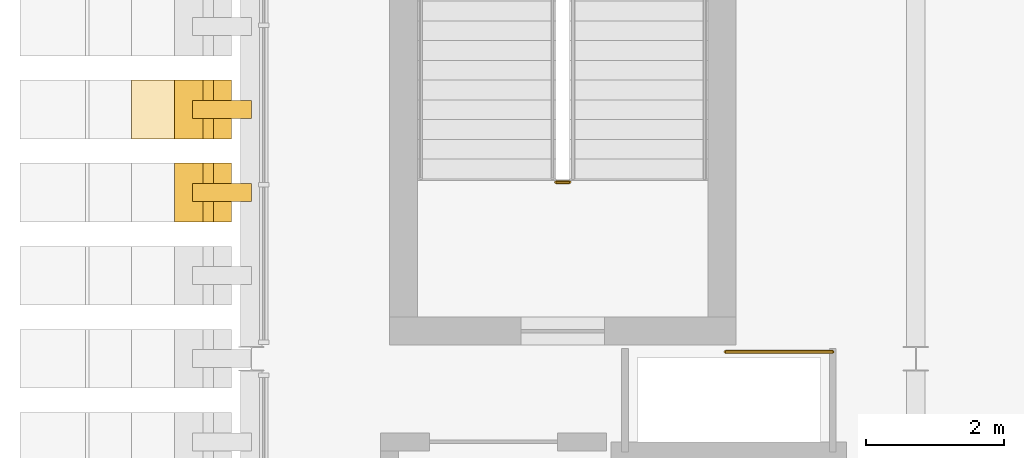
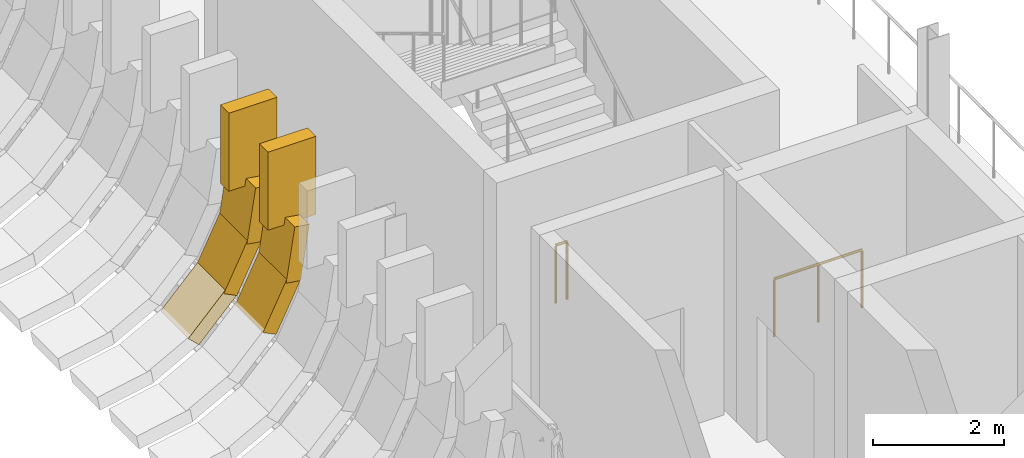
# One storey, part 69 of 100: 7 coverings, 2 railings.
"""IFC4 building model written with IfcOpenShell, lengths in metres."""

import ifcopenshell
import ifcopenshell.guid

model = None  # the IFC model being written
_history = None  # IfcOwnerHistory: only IFC2X3 demands one
_inside = {}  # id of a spatial element -> (the spatial element, [elements in it])
_under = {}  # id of a project, library or spatial element -> (it, [spatial elements below it])
_declared = {}  # id of a project -> (the project, [libraries it declares])
_typed = {}  # id of a type object -> (the type object, [elements of that type])
_made_of = {}  # id of a material, layer set ... -> (it, [elements and type objects made of it])


def new_model(schema):
    """Start an empty IFC model of exactly this schema.

    Asked for "IFC4X3", IfcOpenShell would pick the latest addendum, in which some entities
    have other attributes; the version numbers below select the first issue.
    IFC2X3 requires an IfcOwnerHistory on every rooted entity: one is made here for all.
    """
    global model, _history
    if schema == "IFC4X3":
        model = ifcopenshell.file(schema_version=(4, 3, 0, 0))
    else:
        model = ifcopenshell.file(schema=schema)
    _inside.clear()
    _under.clear()
    _declared.clear()
    _typed.clear()
    _made_of.clear()
    _history = None
    if model.schema == "IFC2X3":
        org = make("IfcOrganization", Name="unknown")
        user = make(
            "IfcPersonAndOrganization",
            ThePerson=make("IfcPerson", FamilyName="unknown"),
            TheOrganization=org,
        )
        app = make(
            "IfcApplication",
            ApplicationDeveloper=org,
            Version="unknown",
            ApplicationFullName="unknown",
            ApplicationIdentifier="unknown",
        )
        _history = make(
            "IfcOwnerHistory",
            OwningUser=user,
            OwningApplication=app,
            ChangeAction="ADDED",
            CreationDate=0,
        )
    return model


def make(cls, **values):
    """One entity of the class cls with the attributes given. An attribute that is None is left unset."""
    return model.create_entity(
        cls, **{name: value for name, value in values.items() if value is not None}
    )


def rooted(cls, **values):
    """An entity with a GlobalId (a new one), such as an element, a storey or a relation."""
    return make(cls, GlobalId=ifcopenshell.guid.new(), OwnerHistory=_history, **values)


def si_unit(unit_type, name, prefix=None):
    """IfcSIUnit, for example si_unit("LENGTHUNIT", "METRE", prefix="MILLI")."""
    return make("IfcSIUnit", UnitType=unit_type, Prefix=prefix, Name=name)


def assignment(units):
    """IfcUnitAssignment: the units of a project."""
    return None if units is None else make("IfcUnitAssignment", Units=units)


def point(xyz):
    """IfcCartesianPoint."""
    return None if xyz is None else make("IfcCartesianPoint", Coordinates=xyz)


def direction(xyz):
    """IfcDirection."""
    return None if xyz is None else make("IfcDirection", DirectionRatios=xyz)


def frame(location, z_axis=None, x_axis=None):
    """IfcAxis2Placement3D, a coordinate frame: its origin and axes. An axis left out is left unset."""
    return make(
        "IfcAxis2Placement3D",
        Location=point(location),
        Axis=direction(z_axis),
        RefDirection=direction(x_axis),
    )


def frame_2d(location, x_axis=None):
    """IfcAxis2Placement2D, a coordinate frame in the plane: its origin and x axis."""
    return make(
        "IfcAxis2Placement2D", Location=point(location), RefDirection=direction(x_axis)
    )


def origin():
    """The frame at (0, 0, 0) with its axes left unset."""
    return frame((0.0, 0.0, 0.0))


def origin_2d():
    """The frame at (0, 0) in the plane with its x axis left unset."""
    return frame_2d((0.0, 0.0))


def place(relative_to, where):
    """IfcLocalPlacement: puts the frame where relative to a parent placement (None: the world)."""
    return make(
        "IfcLocalPlacement", PlacementRelTo=relative_to, RelativePlacement=where
    )


def context(
    kind, dimensions, precision=None, world=None, true_north=None, identifier=None
):
    """IfcGeometricRepresentationContext, for example the 3D "Model" context."""
    return make(
        "IfcGeometricRepresentationContext",
        ContextIdentifier=identifier,
        ContextType=kind,
        CoordinateSpaceDimension=dimensions,
        Precision=precision,
        WorldCoordinateSystem=world,
        TrueNorth=true_north,
    )


def subcontext(parent, identifier, kind, view, scale=None):
    """IfcGeometricRepresentationSubContext, for example "Body" below "Model"."""
    return make(
        "IfcGeometricRepresentationSubContext",
        ContextIdentifier=identifier,
        ContextType=kind,
        ParentContext=parent,
        TargetScale=scale,
        TargetView=view,
    )


def project(units=None, contexts=None):
    """IfcProject with its units and contexts."""
    return rooted(
        "IfcProject",
        Name="project",
        RepresentationContexts=contexts,
        UnitsInContext=assignment(units),
    )


def spatial(cls, under=None, at=None, **own):
    """A site, building, storey or space (cls), placed at a placement, below another one or the project."""
    s = rooted(cls, ObjectPlacement=at, **own)
    if under is not None:
        _under.setdefault(under.id(), (under, []))[1].append(s)
    return s


def profile(cls, at=None, kind="AREA", **sizes):
    """A parametric profile (cls). Its sizes go by their IFC names, for example OverallWidth=200.0."""
    return make(cls, ProfileType=kind, Position=at, **sizes)


def rectangle(**sizes):
    """IfcRectangleProfileDef."""
    return profile("IfcRectangleProfileDef", **sizes)


def circle(**sizes):
    """IfcCircleProfileDef."""
    return profile("IfcCircleProfileDef", **sizes)


def extrude(swept, where, along, depth):
    """IfcExtrudedAreaSolid: the profile swept, set in the frame where, extruded along a direction by depth."""
    return make(
        "IfcExtrudedAreaSolid",
        SweptArea=swept,
        Position=where,
        ExtrudedDirection=direction(along),
        Depth=depth,
    )


def shape(context_of_items, identifier, shape_type, items):
    """IfcShapeRepresentation: the items that make up one representation, for example the "Body"."""
    return make(
        "IfcShapeRepresentation",
        ContextOfItems=context_of_items,
        RepresentationIdentifier=identifier,
        RepresentationType=shape_type,
        Items=items,
    )


def material(Name=None, Category=None):
    """IfcMaterial."""
    return make("IfcMaterial", Name=Name, Category=Category)


def material_profile(
    of_material, cross_section, Name=None, Category=None, Priority=None
):
    """IfcMaterialProfile: a cross section and its material."""
    return make(
        "IfcMaterialProfile",
        Name=Name,
        Material=of_material,
        Profile=cross_section,
        Priority=Priority,
        Category=Category,
    )


def profile_set(profiles, Name=None, composite=None):
    """IfcMaterialProfileSet."""
    return make(
        "IfcMaterialProfileSet",
        Name=Name,
        MaterialProfiles=profiles,
        CompositeProfile=composite,
    )


def made_of(thing, what):
    """Note that an element or type object is made of a material, layer set ...; save() writes the relation."""
    if what is not None:
        _made_of.setdefault(what.id(), (what, []))[1].append(thing)
    return thing


def type_object(cls, material=None, **own):
    """A type object (cls), such as IfcWallType, which elements share."""
    return made_of(rooted(cls, **own), material)


def element(
    cls,
    number,
    at=None,
    inside=None,
    cuts=None,
    type_object=None,
    material=None,
    context=None,
    identifier="Body",
    shape_type=None,
    held_by="IfcProductDefinitionShape",
    body=None,
    shapes=None,
    **own,
):
    """One element of the class cls, such as IfcWall. Its Tag is "e" and its number.

    at: its placement. inside: the storey or other place that contains it. cuts: it is an
    opening in that element (IfcRelVoidsElement). A single representation is given by context,
    identifier, shape_type and body (its items); several are given by shapes. held_by: the class
    of the entity that holds the representations. save() writes the other relations.
    """
    e = rooted(cls, Tag="e%d" % number, ObjectPlacement=at, **own)
    if body is not None:
        shapes = [shape(context, identifier, shape_type, body)]
    if shapes is not None:
        e.Representation = make(held_by, Representations=shapes)
    if inside is not None:
        _inside.setdefault(inside.id(), (inside, []))[1].append(e)
    if cuts is not None:
        rooted(
            "IfcRelVoidsElement", RelatingBuildingElement=cuts, RelatedOpeningElement=e
        )
    if type_object is not None:
        _typed.setdefault(type_object.id(), (type_object, []))[1].append(e)
    return made_of(e, material)


def aggregate(whole, parts):
    """IfcRelAggregates: a whole, such as a stair, and the parts it consists of."""
    return rooted("IfcRelAggregates", RelatingObject=whole, RelatedObjects=parts)


def save(model, path):
    """Write the relations noted so far, then the file.

    IfcRelAggregates (storeys below a building ...), IfcRelContainedInSpatialStructure (elements
    in a storey), IfcRelDefinesByType, IfcRelAssociatesMaterial and IfcRelDeclares: one each for
    every whole, place, type object, material and project.
    """
    for whole, parts in _under.values():
        aggregate(whole, parts)
    for where, things in _inside.values():
        rooted(
            "IfcRelContainedInSpatialStructure",
            RelatedElements=things,
            RelatingStructure=where,
        )
    for kind, things in _typed.values():
        rooted("IfcRelDefinesByType", RelatedObjects=things, RelatingType=kind)
    for what, things in _made_of.values():
        rooted("IfcRelAssociatesMaterial", RelatedObjects=things, RelatingMaterial=what)
    for by, libraries in _declared.values():
        rooted("IfcRelDeclares", RelatingContext=by, RelatedDefinitions=libraries)
    model.write(path)


model = new_model("IFC4")

# Units and contexts
model_context = context("Model", 3, precision=1e-05, world=origin(), true_north=direction((0.0, 1.0)))
body_context = subcontext(model_context, "Body", "Model", "MODEL_VIEW")
ifc_project = project(units=[si_unit("LENGTHUNIT", "METRE"), si_unit("AREAUNIT", "SQUARE_METRE"), si_unit("VOLUMEUNIT", "CUBIC_METRE"), si_unit("PLANEANGLEUNIT", "RADIAN"), si_unit("MASSUNIT", "GRAM", prefix="KILO")], contexts=[model_context])

# Site, building, storey
site_placement = place(None, origin())
site = spatial("IfcSite", under=ifc_project, at=site_placement, CompositionType="ELEMENT")
building_placement = place(site_placement, origin())
building = spatial("IfcBuilding", under=site, at=building_placement, Name="Caelomonte Colonnade Arena", CompositionType="ELEMENT")
storey_placement = place(building_placement, origin())
storey = spatial("IfcBuildingStorey", under=building, at=storey_placement, Name="L00", CompositionType="ELEMENT", Elevation=0.0)

# Coverings
ifc_material_1 = material(Name="Precast travertine cladding", Category="masonry")
ifc_material_profile = material_profile(ifc_material_1, rectangle(XDim=0.260009765625, YDim=0.85009765625, at=origin_2d()), Name="FIN260X850")
ifc_profile_set = profile_set([ifc_material_profile], Name="Precast travertine cladding")
covering_type = type_object("IfcCoveringType", Name="ENV-FN-SKIRT", PredefinedType="CLADDING", material=ifc_profile_set)
covering_1_placement = place(storey_placement, frame((-0.4208984375, 61.199951171875, 3.360107421875), z_axis=(0.0, 0.0, 1.0), x_axis=(0.0, 1.0, 0.0)))
element("IfcCovering", 1, at=covering_1_placement, inside=storey, type_object=covering_type, Name="V5 L00 upper classical fin stem 21", PredefinedType="CLADDING", context=body_context, shape_type="SweptSolid", body=[
    extrude(rectangle(XDim=0.260009765625, YDim=0.85009765625, at=origin_2d()), origin(), (0.0, 0.0, 1.0), 1.4599609375),
])
covering_2_placement = place(storey_placement, frame((-0.4140625, 61.199951171875, 3.474609375), z_axis=(-0.153076342973, 0.0, -0.988214366027), x_axis=(-0.988214366027, 0.0, 0.153076342973)))
element("IfcCovering", 2, at=covering_2_placement, inside=storey, type_object=covering_type, Name="V5 L00 splayed classical fin skirt chord 1 (21)", PredefinedType="CLADDING", context=body_context, shape_type="SweptSolid", body=[
    extrude(rectangle(XDim=0.260009765625, YDim=0.85009765625, at=origin_2d()), origin(), (0.0, 0.0, 1.0), 1.008056640625),
])
covering_3_placement = place(storey_placement, frame((-0.54150390625, 61.199951171875, 2.563232421875), z_axis=(-0.44449852268, 0.0, -0.895779584125), x_axis=(-0.895779584125, 0.0, 0.44449852268)))
element("IfcCovering", 3, at=covering_3_placement, inside=storey, type_object=covering_type, Name="V5 L00 splayed classical fin skirt chord 2 (21)", PredefinedType="CLADDING", context=body_context, shape_type="SweptSolid", body=[
    extrude(rectangle(XDim=0.260009765625, YDim=0.85009765625, at=origin_2d()), origin(), (0.0, 0.0, 1.0), 1.0078125),
])
covering_4_placement = place(storey_placement, frame((-0.938232421875, 61.199951171875, 1.733154296875), z_axis=(-0.694646381209, 0.0, -0.71935137803), x_axis=(-0.71935137803, 0.0, 0.694646381209)))
element("IfcCovering", 4, at=covering_4_placement, inside=storey, type_object=covering_type, Name="V5 L00 splayed classical fin skirt chord 3 (21)", PredefinedType="CLADDING", context=body_context, shape_type="SweptSolid", body=[
    extrude(rectangle(XDim=0.260009765625, YDim=0.85009765625, at=origin_2d()), origin(), (0.0, 0.0, 1.0), 1.008056640625),
])
covering_5_placement = place(storey_placement, frame((-0.4208984375, 60.0, 3.360107421875), z_axis=(0.0, 0.0, 1.0), x_axis=(0.0, 1.0, 0.0)))
element("IfcCovering", 5, at=covering_5_placement, inside=storey, type_object=covering_type, Name="V5 L00 upper classical fin stem 22", PredefinedType="CLADDING", context=body_context, shape_type="SweptSolid", body=[
    extrude(rectangle(XDim=0.260009765625, YDim=0.85009765625, at=origin_2d()), origin(), (0.0, 0.0, 1.0), 1.4599609375),
])
covering_6_placement = place(storey_placement, frame((-0.4140625, 60.0, 3.474609375), z_axis=(-0.153076342973, 0.0, -0.988214366027), x_axis=(-0.988214366027, 0.0, 0.153076342973)))
element("IfcCovering", 6, at=covering_6_placement, inside=storey, type_object=covering_type, Name="V5 L00 splayed classical fin skirt chord 1 (22)", PredefinedType="CLADDING", context=body_context, shape_type="SweptSolid", body=[
    extrude(rectangle(XDim=0.260009765625, YDim=0.85009765625, at=origin_2d()), origin(), (0.0, 0.0, 1.0), 1.008056640625),
])
covering_7_placement = place(storey_placement, frame((-0.54150390625, 60.0, 2.563232421875), z_axis=(-0.44449852268, 0.0, -0.895779584125), x_axis=(-0.895779584125, 0.0, 0.44449852268)))
element("IfcCovering", 7, at=covering_7_placement, inside=storey, type_object=covering_type, Name="V5 L00 splayed classical fin skirt chord 2 (22)", PredefinedType="CLADDING", context=body_context, shape_type="SweptSolid", body=[
    extrude(rectangle(XDim=0.260009765625, YDim=0.85009765625, at=origin_2d()), origin(), (0.0, 0.0, 1.0), 1.0078125),
])

# Railings
ifc_material_2 = material(Name="Painted galvanized steel stair guard", Category="steel")
railing_type = type_object("IfcRailingType", Name="INT-RL-GRD", PredefinedType="GUARDRAIL", material=ifc_material_2)
railing_1_placement = place(storey_placement, frame((4.60009765625, 60.14990234375, 0.0)))
element("IfcRailing", 8, at=railing_1_placement, inside=storey, type_object=railing_type, Name="L00 ST-08 stair guard 4", PredefinedType="GUARDRAIL", context=body_context, shape_type="SweptSolid", body=[
    extrude(circle(Radius=0.02392578125, at=origin_2d()), frame((0.0, 0.0, 1.076171875), z_axis=(-1.0, 0.0, 0.0), x_axis=(0.0, -1.0, 0.0)), (0.0, 0.0, 1.0), 0.2001953125),
    extrude(circle(Radius=0.02099609375, at=origin_2d()), origin(), (0.0, 0.0, 1.0), 1.048095703125),
    extrude(circle(Radius=0.02099609375, at=origin_2d()), frame((-0.2001953125, 0.0, 0.0)), (0.0, 0.0, 1.0), 1.048095703125),
])
railing_2_placement = place(storey_placement, frame((6.85009765625, 57.699951171875, 0.0)))
element("IfcRailing", 9, at=railing_2_placement, inside=storey, type_object=railing_type, Name="Core C8 L00 riser opening guard", PredefinedType="GUARDRAIL", context=body_context, shape_type="SweptSolid", body=[
    extrude(circle(Radius=0.02392578125, at=origin_2d()), frame((0.0, 0.0, 1.076171875), z_axis=(1.0, 0.0, 0.0), x_axis=(0.0, 1.0, 0.0)), (0.0, 0.0, 1.0), 1.5498046875),
    extrude(circle(Radius=0.02099609375, at=origin_2d()), origin(), (0.0, 0.0, 1.0), 1.048095703125),
    extrude(circle(Radius=0.02099609375, at=origin_2d()), frame((0.77490234375, 0.0, 0.0)), (0.0, 0.0, 1.0), 1.048095703125),
    extrude(circle(Radius=0.02099609375, at=origin_2d()), frame((1.5498046875, 0.0, 0.0)), (0.0, 0.0, 1.0), 1.048095703125),
])

save(model, "model.ifc")
